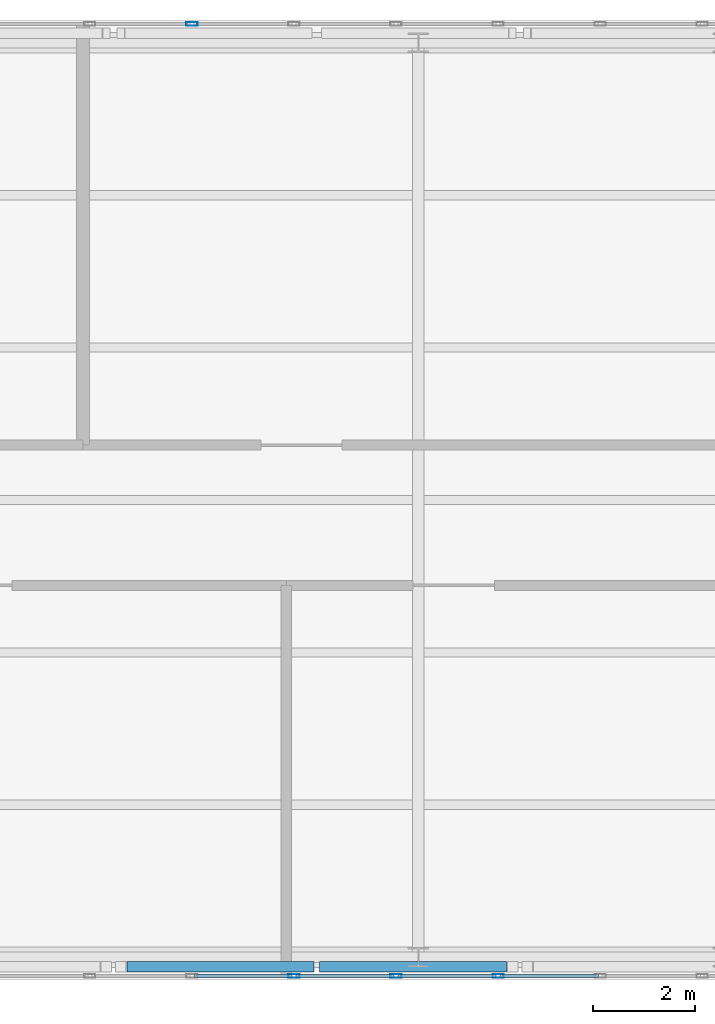
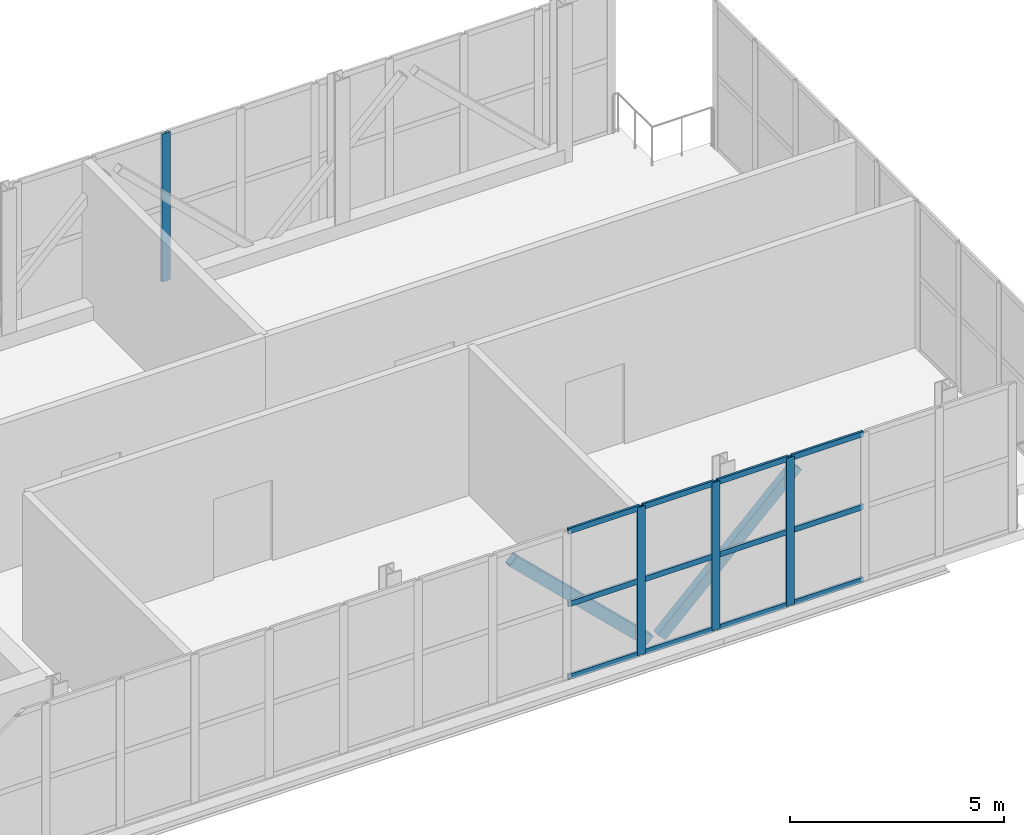
# One storey, part 13 of 21: 18 members, 2 elements without a shape of their own.
"""IFC4 building model written with IfcOpenShell, lengths in metres."""

from ifc_helpers import new_model, si_unit, direction, frame, origin, origin_2d, place, context, subcontext, project, spatial, hollow_rectangle, extrude, material, layer, layer_set, material_profile, profile_set, type_object, element, aggregate, save


model = new_model("IFC4")

# Units and contexts
model_context = context("Model", 3, precision=1e-05, world=origin(), true_north=direction((0.0, 1.0)))
body_context = subcontext(model_context, "Body", "Model", "MODEL_VIEW")
ifc_project = project(units=[si_unit("LENGTHUNIT", "METRE"), si_unit("AREAUNIT", "SQUARE_METRE"), si_unit("VOLUMEUNIT", "CUBIC_METRE"), si_unit("PLANEANGLEUNIT", "RADIAN"), si_unit("MASSUNIT", "GRAM", prefix="KILO")], contexts=[model_context])

# Site, building, storey
site_placement = place(None, origin())
site = spatial("IfcSite", under=ifc_project, at=site_placement, CompositionType="ELEMENT")
building_placement = place(site_placement, origin())
building = spatial("IfcBuilding", under=site, at=building_placement, Name="Mawjdan Bourse Tower", CompositionType="ELEMENT")
storey_placement = place(building_placement, frame((0.0, 0.0, 313.199951171875)))
storey = spatial("IfcBuildingStorey", under=building, at=storey_placement, Name="L77", CompositionType="ELEMENT", Elevation=313.199951171875)

# Members
ifc_material_1 = material(Name="Structural Steel S460", Category="steel")
ifc_material_profile_1 = material_profile(ifc_material_1, hollow_rectangle(XDim=0.199951171875, YDim=0.300048828125, WallThickness=0.012451171875, at=origin_2d()), Name="HSS300X200X12.5")
ifc_profile_set_1 = profile_set([ifc_material_profile_1], Name="Structural Steel S460")
member_type_1 = type_object("IfcMemberType", Name="BRC-HSS300X200X12.5", PredefinedType="BRACE", material=ifc_profile_set_1)
for number, where, z_axis, x_axis, name in (
    (1, (36.159912109375, 2.81005859375, 3.77001953125), (0.717762646976, 0.0, -0.696287859011), (0.0, 1.0, 0.0), "L77 Lantern Crown Braced Frame South Diagonal 4"),
    (2, (40.159912109375, 2.81005859375, 0.199951171875), (0.717762646976, 0.0, 0.696287859011), (0.0, 1.0, 0.0), "L77 Lantern Crown Braced Frame South Diagonal 5"),
):
    element("IfcMember", number, at=place(storey_placement, frame(where, z_axis=z_axis, x_axis=x_axis)), inside=storey, type_object=member_type_1, Name=name, PredefinedType="BRACE", context=body_context, shape_type="SweptSolid", body=[
        extrude(hollow_rectangle(XDim=0.199951171875, YDim=0.300048828125, WallThickness=0.012451171875, at=origin_2d()), origin(), (0.0, 0.0, 1.0), 5.127197265625),
    ])

# Curtain wall, members
ifc_material_2 = material(Name="Thermally Broken Aluminium and Solar Glass", Category="aluminium")
ifc_layer = layer(ifc_material_2, 0.219970703125)
ifc_layer_set = layer_set([ifc_layer], Name="Thermally Broken Aluminium and Solar Glass")
curtain_wall_type = type_object("IfcCurtainWallType", Name="CW-CRN", PredefinedType="USERDEFINED", material=ifc_layer_set)
curtain_wall_1_placement = place(storey_placement, origin())
curtain_wall_1 = element("IfcCurtainWall", 3, at=curtain_wall_1_placement, inside=storey, type_object=curtain_wall_type, Name="L77 Lantern Crown South Curtain Wall", ObjectType="LANTERN GLAZED CROWN", PredefinedType="USERDEFINED")
ifc_material_3 = material(Name="Thermally Broken Anodised Aluminium", Category="aluminium")
ifc_material_profile_2 = material_profile(ifc_material_3, hollow_rectangle(XDim=0.074951171875, YDim=0.219970703125, WallThickness=0.0048828125, at=origin_2d()), Name="ALU-MUL-220X75")
ifc_profile_set_2 = profile_set([ifc_material_profile_2], Name="Thermally Broken Anodised Aluminium")
member_type_2 = type_object("IfcMemberType", Name="MUL-ALU-MUL-220X75", PredefinedType="MULLION", material=ifc_profile_set_2)
member_1_placement = place(storey_placement, frame((39.552490234375, 2.6298828125, 0.0), z_axis=(0.0, 0.0, 1.0), x_axis=(0.0, 1.0, 0.0)))
member_1 = element("IfcMember", 4, at=member_1_placement, type_object=member_type_2, Name="CW-CRN-L77-CRN-S mullion 17", PredefinedType="MULLION", context=body_context, shape_type="SweptSolid", body=[
    extrude(hollow_rectangle(XDim=0.074951171875, YDim=0.219970703125, WallThickness=0.0048828125, at=origin_2d()), origin(), (0.0, 0.0, 1.0), 4.219970703125),
])
member_2_placement = place(storey_placement, frame((41.56201171875, 2.6298828125, 0.0), z_axis=(0.0, 0.0, 1.0), x_axis=(0.0, 1.0, 0.0)))
member_2 = element("IfcMember", 5, at=member_2_placement, type_object=member_type_2, Name="CW-CRN-L77-CRN-S mullion 18", PredefinedType="MULLION", context=body_context, shape_type="SweptSolid", body=[
    extrude(hollow_rectangle(XDim=0.074951171875, YDim=0.219970703125, WallThickness=0.0048828125, at=origin_2d()), origin(), (0.0, 0.0, 1.0), 4.219970703125),
])
member_3_placement = place(storey_placement, frame((43.571533203125, 2.6298828125, 0.0), z_axis=(0.0, 0.0, 1.0), x_axis=(0.0, 1.0, 0.0)))
member_3 = element("IfcMember", 6, at=member_3_placement, type_object=member_type_2, Name="CW-CRN-L77-CRN-S mullion 19", PredefinedType="MULLION", context=body_context, shape_type="SweptSolid", body=[
    extrude(hollow_rectangle(XDim=0.074951171875, YDim=0.219970703125, WallThickness=0.0048828125, at=origin_2d()), origin(), (0.0, 0.0, 1.0), 4.219970703125),
])

# Curtain wall, member
curtain_wall_2_placement = place(storey_placement, origin())
curtain_wall_2 = element("IfcCurtainWall", 7, at=curtain_wall_2_placement, inside=storey, type_object=curtain_wall_type, Name="L77 Lantern Crown North Curtain Wall", ObjectType="LANTERN GLAZED CROWN", PredefinedType="USERDEFINED")
member_4_placement = place(storey_placement, frame((37.54296875, 21.3701171875, 0.0), z_axis=(0.0, 0.0, 1.0), x_axis=(0.0, -1.0, 0.0)))
member_4 = element("IfcMember", 8, at=member_4_placement, type_object=member_type_2, Name="CW-CRN-L77-CRN-N mullion 7", PredefinedType="MULLION", context=body_context, shape_type="SweptSolid", body=[
    extrude(hollow_rectangle(XDim=0.074951171875, YDim=0.219970703125, WallThickness=0.0048828125, at=origin_2d()), origin(), (0.0, 0.0, 1.0), 4.219970703125),
])
aggregate(curtain_wall_2, [member_4])

# Member
ifc_material_profile_3 = material_profile(ifc_material_3, hollow_rectangle(XDim=0.06005859375, YDim=0.155029296875, WallThickness=0.00390625, at=origin_2d()), Name="ALU-TRN-155X60")
ifc_profile_set_3 = profile_set([ifc_material_profile_3], Name="Thermally Broken Anodised Aluminium")
member_type_3 = type_object("IfcMemberType", Name="TRN-ALU-TRN-155X60", PredefinedType="USERDEFINED", material=ifc_profile_set_3)
member_5_placement = place(storey_placement, frame((37.580322265625, 2.6298828125, 0.030029296875), z_axis=(1.0, 0.0, 0.0), x_axis=(0.0, 1.0, 0.0)))
member_5 = element("IfcMember", 9, at=member_5_placement, type_object=member_type_3, Name="CW-CRN-L77-CRN-S transom 16.1", ObjectType="TRANSOM", PredefinedType="USERDEFINED", context=body_context, shape_type="SweptSolid", body=[
    extrude(hollow_rectangle(XDim=0.06005859375, YDim=0.155029296875, WallThickness=0.00390625, at=origin_2d()), origin(), (0.0, 0.0, 1.0), 1.9345703125),
])

member_6_placement = place(storey_placement, frame((37.580322265625, 2.6298828125, 2.110107421875), z_axis=(1.0, 0.0, 0.0), x_axis=(0.0, 1.0, 0.0)))
member_6 = element("IfcMember", 10, at=member_6_placement, type_object=member_type_3, Name="CW-CRN-L77-CRN-S transom 16.2", ObjectType="TRANSOM", PredefinedType="USERDEFINED", context=body_context, shape_type="SweptSolid", body=[
    extrude(hollow_rectangle(XDim=0.06005859375, YDim=0.155029296875, WallThickness=0.00390625, at=origin_2d()), origin(), (0.0, 0.0, 1.0), 1.9345703125),
])

member_7_placement = place(storey_placement, frame((37.580322265625, 2.6298828125, 4.18994140625), z_axis=(1.0, 0.0, 0.0), x_axis=(0.0, 1.0, 0.0)))
member_7 = element("IfcMember", 11, at=member_7_placement, type_object=member_type_3, Name="CW-CRN-L77-CRN-S transom 16.3", ObjectType="TRANSOM", PredefinedType="USERDEFINED", context=body_context, shape_type="SweptSolid", body=[
    extrude(hollow_rectangle(XDim=0.06005859375, YDim=0.155029296875, WallThickness=0.00390625, at=origin_2d()), origin(), (0.0, 0.0, 1.0), 1.9345703125),
])

member_8_placement = place(storey_placement, frame((39.58984375, 2.6298828125, 0.030029296875), z_axis=(1.0, 0.0, 0.0), x_axis=(0.0, 1.0, 0.0)))
member_8 = element("IfcMember", 12, at=member_8_placement, type_object=member_type_3, Name="CW-CRN-L77-CRN-S transom 17.1", ObjectType="TRANSOM", PredefinedType="USERDEFINED", context=body_context, shape_type="SweptSolid", body=[
    extrude(hollow_rectangle(XDim=0.06005859375, YDim=0.155029296875, WallThickness=0.00390625, at=origin_2d()), origin(), (0.0, 0.0, 1.0), 1.9345703125),
])

member_9_placement = place(storey_placement, frame((39.58984375, 2.6298828125, 2.110107421875), z_axis=(1.0, 0.0, 0.0), x_axis=(0.0, 1.0, 0.0)))
member_9 = element("IfcMember", 13, at=member_9_placement, type_object=member_type_3, Name="CW-CRN-L77-CRN-S transom 17.2", ObjectType="TRANSOM", PredefinedType="USERDEFINED", context=body_context, shape_type="SweptSolid", body=[
    extrude(hollow_rectangle(XDim=0.06005859375, YDim=0.155029296875, WallThickness=0.00390625, at=origin_2d()), origin(), (0.0, 0.0, 1.0), 1.9345703125),
])

member_10_placement = place(storey_placement, frame((39.58984375, 2.6298828125, 4.18994140625), z_axis=(1.0, 0.0, 0.0), x_axis=(0.0, 1.0, 0.0)))
member_10 = element("IfcMember", 14, at=member_10_placement, type_object=member_type_3, Name="CW-CRN-L77-CRN-S transom 17.3", ObjectType="TRANSOM", PredefinedType="USERDEFINED", context=body_context, shape_type="SweptSolid", body=[
    extrude(hollow_rectangle(XDim=0.06005859375, YDim=0.155029296875, WallThickness=0.00390625, at=origin_2d()), origin(), (0.0, 0.0, 1.0), 1.9345703125),
])

member_11_placement = place(storey_placement, frame((41.599365234375, 2.6298828125, 0.030029296875), z_axis=(1.0, 0.0, 0.0), x_axis=(0.0, 1.0, 0.0)))
member_11 = element("IfcMember", 15, at=member_11_placement, type_object=member_type_3, Name="CW-CRN-L77-CRN-S transom 18.1", ObjectType="TRANSOM", PredefinedType="USERDEFINED", context=body_context, shape_type="SweptSolid", body=[
    extrude(hollow_rectangle(XDim=0.06005859375, YDim=0.155029296875, WallThickness=0.00390625, at=origin_2d()), origin(), (0.0, 0.0, 1.0), 1.9345703125),
])

member_12_placement = place(storey_placement, frame((41.599365234375, 2.6298828125, 2.110107421875), z_axis=(1.0, 0.0, 0.0), x_axis=(0.0, 1.0, 0.0)))
member_12 = element("IfcMember", 16, at=member_12_placement, type_object=member_type_3, Name="CW-CRN-L77-CRN-S transom 18.2", ObjectType="TRANSOM", PredefinedType="USERDEFINED", context=body_context, shape_type="SweptSolid", body=[
    extrude(hollow_rectangle(XDim=0.06005859375, YDim=0.155029296875, WallThickness=0.00390625, at=origin_2d()), origin(), (0.0, 0.0, 1.0), 1.9345703125),
])

member_13_placement = place(storey_placement, frame((41.599365234375, 2.6298828125, 4.18994140625), z_axis=(1.0, 0.0, 0.0), x_axis=(0.0, 1.0, 0.0)))
member_13 = element("IfcMember", 17, at=member_13_placement, type_object=member_type_3, Name="CW-CRN-L77-CRN-S transom 18.3", ObjectType="TRANSOM", PredefinedType="USERDEFINED", context=body_context, shape_type="SweptSolid", body=[
    extrude(hollow_rectangle(XDim=0.06005859375, YDim=0.155029296875, WallThickness=0.00390625, at=origin_2d()), origin(), (0.0, 0.0, 1.0), 1.9345703125),
])

member_14_placement = place(storey_placement, frame((43.60888671875, 2.6298828125, 0.030029296875), z_axis=(1.0, 0.0, 0.0), x_axis=(0.0, 1.0, 0.0)))
member_14 = element("IfcMember", 18, at=member_14_placement, type_object=member_type_3, Name="CW-CRN-L77-CRN-S transom 19.1", ObjectType="TRANSOM", PredefinedType="USERDEFINED", context=body_context, shape_type="SweptSolid", body=[
    extrude(hollow_rectangle(XDim=0.06005859375, YDim=0.155029296875, WallThickness=0.00390625, at=origin_2d()), origin(), (0.0, 0.0, 1.0), 1.9345703125),
])

member_15_placement = place(storey_placement, frame((43.60888671875, 2.6298828125, 2.110107421875), z_axis=(1.0, 0.0, 0.0), x_axis=(0.0, 1.0, 0.0)))
member_15 = element("IfcMember", 19, at=member_15_placement, type_object=member_type_3, Name="CW-CRN-L77-CRN-S transom 19.2", ObjectType="TRANSOM", PredefinedType="USERDEFINED", context=body_context, shape_type="SweptSolid", body=[
    extrude(hollow_rectangle(XDim=0.06005859375, YDim=0.155029296875, WallThickness=0.00390625, at=origin_2d()), origin(), (0.0, 0.0, 1.0), 1.9345703125),
])

member_16_placement = place(storey_placement, frame((43.60888671875, 2.6298828125, 4.18994140625), z_axis=(1.0, 0.0, 0.0), x_axis=(0.0, 1.0, 0.0)))
member_16 = element("IfcMember", 20, at=member_16_placement, type_object=member_type_3, Name="CW-CRN-L77-CRN-S transom 19.3", ObjectType="TRANSOM", PredefinedType="USERDEFINED", context=body_context, shape_type="SweptSolid", body=[
    extrude(hollow_rectangle(XDim=0.06005859375, YDim=0.155029296875, WallThickness=0.00390625, at=origin_2d()), origin(), (0.0, 0.0, 1.0), 1.9345703125),
])

aggregate(curtain_wall_1, [member_1, member_2, member_3, member_5, member_6, member_7, member_8, member_9, member_10, member_11, member_12, member_13, member_14, member_15, member_16])

save(model, "model.ifc")
